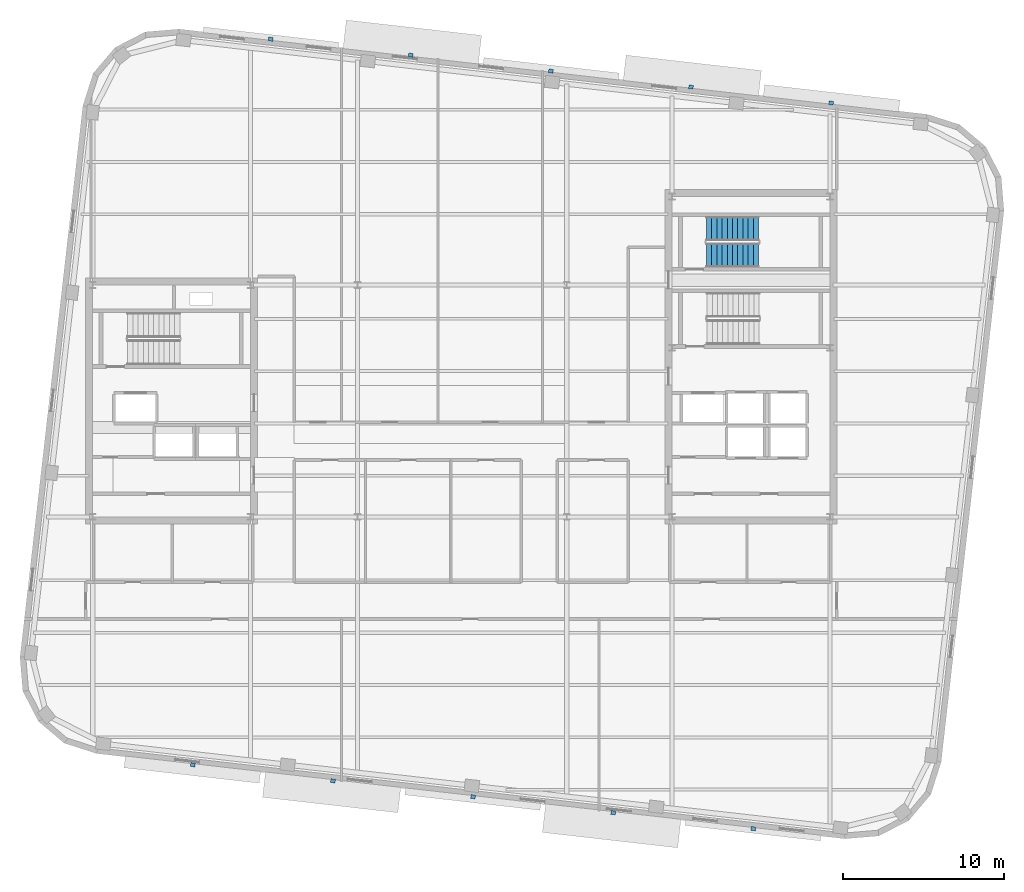
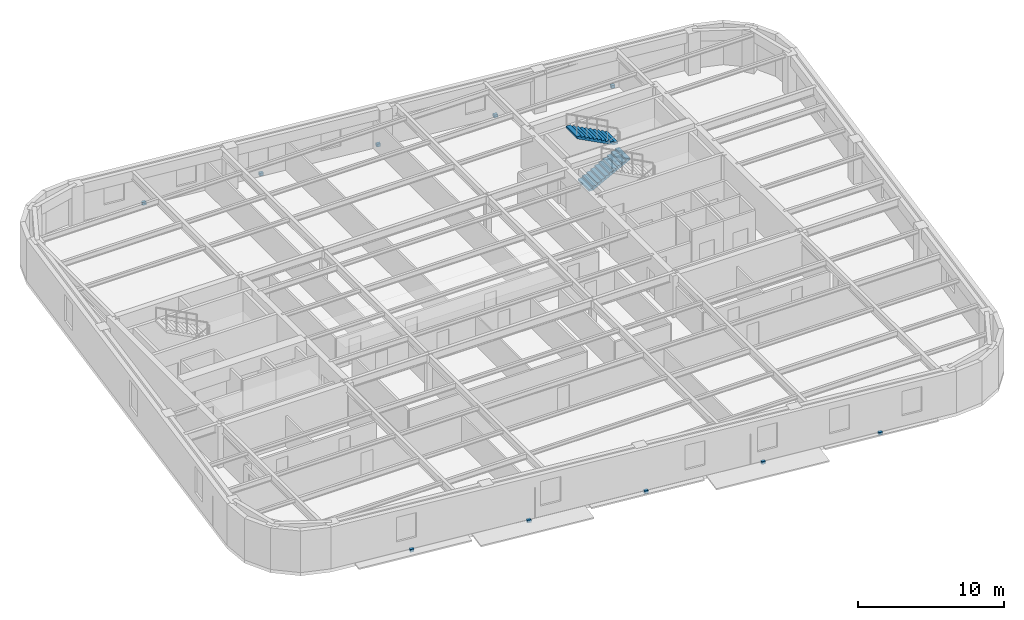
# One storey, part 9 of 13: 10 discrete accessories, 2 stair flights, 1 element without a shape of its own.
"""IFC4 building model written with IfcOpenShell, lengths in metres."""

from ifc_helpers import new_model, si_unit, direction, frame, origin, origin_2d, place, context, subcontext, project, spatial, polyline, rectangle, outline, extrude, material, type_object, element, aggregate, save


model = new_model("IFC4")

# Units and contexts
model_context = context("Model", 3, precision=1e-05, world=origin(), true_north=direction((0.0, 1.0)))
body_context = subcontext(model_context, "Body", "Model", "MODEL_VIEW")
ifc_project = project(units=[si_unit("LENGTHUNIT", "METRE"), si_unit("AREAUNIT", "SQUARE_METRE"), si_unit("VOLUMEUNIT", "CUBIC_METRE"), si_unit("PLANEANGLEUNIT", "RADIAN"), si_unit("MASSUNIT", "GRAM", prefix="KILO")], contexts=[model_context])

# Site, building, storey
site_placement = place(None, origin())
site = spatial("IfcSite", under=ifc_project, at=site_placement, CompositionType="ELEMENT")
building_placement = place(site_placement, origin())
building = spatial("IfcBuilding", under=site, at=building_placement, Name="Kolvaren Arena Tower", CompositionType="ELEMENT")
storey_placement = place(building_placement, frame((0.0, 0.0, 243.449951171875)))
storey = spatial("IfcBuildingStorey", under=building, at=storey_placement, Name="L59", CompositionType="ELEMENT", Elevation=243.449951171875)

# Stair, stair flights
ifc_material_1 = material(Name="Concrete 45 MPa", Category="concrete")
stair_type = type_object("IfcStairType", Name="STAIR-CORE-150", PredefinedType="HALF_TURN_STAIR", material=ifc_material_1)
stair_placement = place(storey_placement, origin())
stair = element("IfcStair", 1, at=stair_placement, inside=storey, type_object=stair_type, Name="L59 ST-E2", PredefinedType="HALF_TURN_STAIR")
stair_flight_type = type_object("IfcStairFlightType", Name="FLT-150", PredefinedType="STRAIGHT", material=ifc_material_1)
stair_flight_1_placement = place(storey_placement, frame((52.679931640625, 35.699951171875, 0.0), z_axis=(0.0, 0.0, 1.0), x_axis=(1.0, 0.0, 0.0)))
stair_flight_1 = element("IfcStairFlight", 2, at=stair_flight_1_placement, type_object=stair_flight_type, Name="ST-E2 flight 1", NumberOfRisers=11, NumberOfTreads=10, PredefinedType="STRAIGHT", RiserHeight=0.170454545, TreadLength=0.324, context=body_context, shape_type="SweptSolid", body=[
    extrude(outline(polyline([(0.0, 0.0), (0.0, 0.17041015625), (0.323974609375, 0.17041015625), (0.323974609375, 0.3408203125), (0.64794921875, 0.3408203125), (0.64794921875, 0.511474609375), (0.971923828125, 0.511474609375), (0.971923828125, 0.681884765625), (1.2958984375, 0.681884765625), (1.2958984375, 0.852294921875), (1.6201171875, 0.852294921875), (1.6201171875, 1.022705078125), (1.944091796875, 1.022705078125), (1.944091796875, 1.193115234375), (2.26806640625, 1.193115234375), (2.26806640625, 1.363525390625), (2.592041015625, 1.363525390625), (2.592041015625, 1.5341796875), (2.916015625, 1.5341796875), (2.916015625, 1.70458984375), (3.239990234375, 1.70458984375), (3.239990234375, 1.875), (3.239990234375, 1.53515625), (0.322021484375, 0.0), (0.0, 0.0)])), frame((0.0, 0.75, 0.0), z_axis=(0.0, -1.0, 0.0), x_axis=(1.0, 0.0, 0.0)), (0.0, 0.0, 1.0), 1.5),
])
stair_flight_2_placement = place(storey_placement, frame((55.919921875, 37.35009765625, 1.875), z_axis=(0.0, 0.0, 1.0), x_axis=(-1.0, 0.0, 0.0)))
stair_flight_2 = element("IfcStairFlight", 3, at=stair_flight_2_placement, type_object=stair_flight_type, Name="ST-E2 flight 2", NumberOfRisers=11, NumberOfTreads=10, PredefinedType="STRAIGHT", RiserHeight=0.170454545, TreadLength=0.324, context=body_context, shape_type="SweptSolid", body=[
    extrude(outline(polyline([(0.0, 0.0), (0.0, 0.17041015625), (0.323974609375, 0.17041015625), (0.323974609375, 0.3408203125), (0.64794921875, 0.3408203125), (0.64794921875, 0.511474609375), (0.971923828125, 0.511474609375), (0.971923828125, 0.681884765625), (1.2958984375, 0.681884765625), (1.2958984375, 0.852294921875), (1.6201171875, 0.852294921875), (1.6201171875, 1.022705078125), (1.944091796875, 1.022705078125), (1.944091796875, 1.193115234375), (2.26806640625, 1.193115234375), (2.26806640625, 1.363525390625), (2.592041015625, 1.363525390625), (2.592041015625, 1.5341796875), (2.916015625, 1.5341796875), (2.916015625, 1.70458984375), (3.239990234375, 1.70458984375), (3.239990234375, 1.875), (3.239990234375, 1.53515625), (0.322021484375, 0.0), (0.0, 0.0)])), frame((0.0, 0.75, 0.0), z_axis=(0.0, -1.0, 0.0), x_axis=(1.0, 0.0, 0.0)), (0.0, 0.0, 1.0), 1.5),
])
aggregate(stair, [stair_flight_1, stair_flight_2])

# Discrete accessories
ifc_material_2 = material(Name="Stainless steel facade support bracket", Category="steel")
discrete_accessory_type = type_object("IfcDiscreteAccessoryType", Name="ACC-BRKT-1", PredefinedType="BRACKET", material=ifc_material_2)
for number, where, z_axis, x_axis, name in (
    (4, (25.60986328125, 49.12451171875, -0.18017578125), (0.0, 0.0, 1.0), (0.993571658098, -0.113204947878, 0.0), "Sunshade Support Bracket (L59)"),
    (5, (34.313720703125, 48.1328125, -0.18017578125), (0.0, 0.0, 1.0), (0.993571658098, -0.113204947878, 0.0), "Sunshade Support Bracket (L59)"),
    (6, (43.017333984375, 47.141357421875, -0.18017578125), (0.0, 0.0, 1.0), (0.993571658098, -0.113204947878, 0.0), "Sunshade Support Bracket (L59)"),
    (7, (51.720947265625, 46.149658203125, -0.18017578125), (0.0, 0.0, 1.0), (0.993571658098, -0.113204947878, 0.0), "Sunshade Support Bracket (L59)"),
    (8, (60.424560546875, 45.157958984375, -0.18017578125), (0.0, 0.0, 1.0), (0.993571658098, -0.113204947878, 0.0), "Sunshade Support Bracket (L59)"),
    (9, (55.590087890625, 0.075439453125, -0.18017578125), (0.0, 0.0, 1.0), (-0.993571658098, 0.113204947878, 0.0), "Sunshade Support Bracket (L59)"),
    (10, (46.886474609375, 1.067138671875, -0.18017578125), (0.0, 0.0, 1.0), (-0.993571658098, 0.113204947878, 0.0), "Sunshade Support Bracket (L59)"),
    (11, (38.1826171875, 2.05859375, -0.18017578125), (0.0, 0.0, 1.0), (-0.993571658098, 0.113204947878, 0.0), "Sunshade Support Bracket (L59)"),
    (12, (29.47900390625, 3.05029296875, -0.18017578125), (0.0, 0.0, 1.0), (-0.993571658098, 0.113204947878, 0.0), "Sunshade Support Bracket (L59)"),
    (13, (20.775390625, 4.0419921875, -0.18017578125), (0.0, 0.0, 1.0), (-0.993571658098, 0.113204947878, 0.0), "Sunshade Support Bracket (L59)"),
):
    element("IfcDiscreteAccessory", number, at=place(storey_placement, frame(where, z_axis=z_axis, x_axis=x_axis)), inside=storey, type_object=discrete_accessory_type, Name=name, PredefinedType="BRACKET", context=body_context, shape_type="SweptSolid", body=[
        extrude(rectangle(XDim=0.280029296875, YDim=0.239990234375, at=origin_2d()), origin(), (0.0, 0.0, 1.0), 0.239990234375),
    ])

save(model, "model.ifc")
